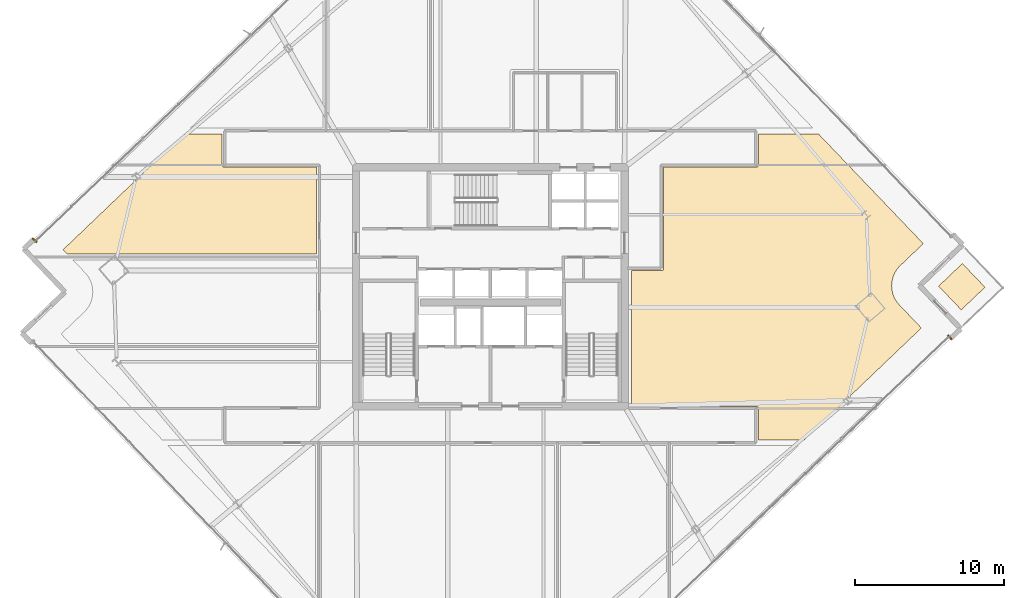
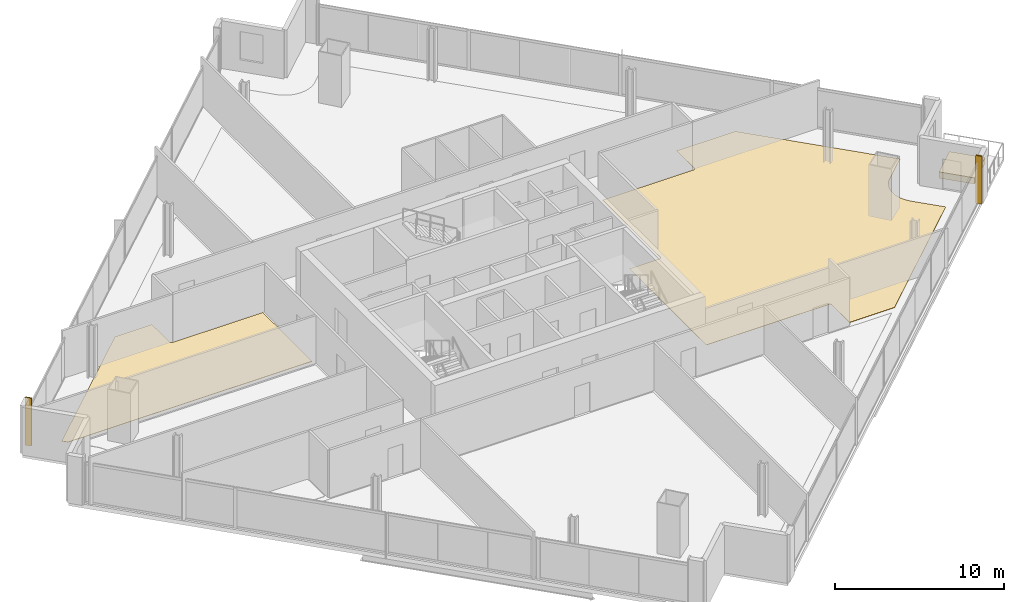
# One storey, part 31 of 33: 5 coverings.
"""IFC4 building model written with IfcOpenShell, lengths in metres."""

from ifc_helpers import new_model, si_unit, direction, frame, origin, origin_2d, place, context, subcontext, project, spatial, polyline, rectangle, outline, extrude, source, transform, mapped, material, layer, layer_set, type_object, element, save


model = new_model("IFC4")

# Units and contexts
model_context = context("Model", 3, precision=1e-05, world=origin(), true_north=direction((0.0, 1.0)))
body_context = subcontext(model_context, "Body", "Model", "MODEL_VIEW")
ifc_project = project(units=[si_unit("LENGTHUNIT", "METRE"), si_unit("AREAUNIT", "SQUARE_METRE"), si_unit("VOLUMEUNIT", "CUBIC_METRE"), si_unit("PLANEANGLEUNIT", "RADIAN"), si_unit("MASSUNIT", "GRAM", prefix="KILO")], contexts=[model_context])

# Site, building, storey
site_placement = place(None, origin())
site = spatial("IfcSite", under=ifc_project, at=site_placement, CompositionType="ELEMENT")
building_placement = place(site_placement, origin())
building = spatial("IfcBuilding", under=site, at=building_placement, Name="Haldenkirk Collegiate Tower", CompositionType="ELEMENT")
storey_placement = place(building_placement, frame((0.0, 0.0, 174.449951171875)))
storey = spatial("IfcBuildingStorey", under=building, at=storey_placement, Name="L43", CompositionType="ELEMENT", Elevation=174.449951171875)

# Coverings
ifc_material_1 = material(Name="Polished collegiate terrazzo", Category="concrete")
ifc_layer_1 = layer(ifc_material_1, 0.02490234375)
ifc_layer_set_1 = layer_set([ifc_layer_1], Name="Polished collegiate terrazzo")
covering_type_1 = type_object("IfcCoveringType", Name="COV-FLOOR-TERRAZZO", PredefinedType="FLOORING", material=ifc_layer_set_1)
covering_1_placement = place(storey_placement, origin())
element("IfcCovering", 1, at=covering_1_placement, inside=storey, type_object=covering_type_1, Name="L43 academic room finish 10", PredefinedType="FLOORING", context=body_context, shape_type="SweptSolid", body=[
    extrude(outline(polyline([(7.368896484375, 28.48876953125), (15.490478515625, 36.25), (18.030029296875, 36.25), (18.030029296875, 34.14990234375), (18.030517578125, 34.13818359375), (18.0322265625, 34.126708984375), (18.03515625, 34.115234375), (18.0390625, 34.10400390625), (18.044189453125, 34.093505859375), (18.05029296875, 34.083251953125), (18.05712890625, 34.073974609375), (18.065185546875, 34.065185546875), (18.073974609375, 34.05712890625), (18.083251953125, 34.05029296875), (18.093505859375, 34.044189453125), (18.10400390625, 34.0390625), (18.115234375, 34.03515625), (18.126708984375, 34.0322265625), (18.13818359375, 34.030517578125), (18.14990234375, 34.030029296875), (24.35009765625, 34.030029296875), (24.35009765625, 28.199951171875), (7.644775390625, 28.199951171875), (7.368896484375, 28.48876953125)])), origin(), (0.0, 0.0, 1.0), 0.025146484375),
])
ifc_material_2 = material(Name="Engineered collegiate oak acoustic flooring", Category="wood")
ifc_layer_2 = layer(ifc_material_2, 0.02197265625)
ifc_layer_set_2 = layer_set([ifc_layer_2], Name="Engineered collegiate oak acoustic flooring")
covering_type_2 = type_object("IfcCoveringType", Name="COV-FLOOR-TIMBER", PredefinedType="FLOORING", material=ifc_layer_set_2)
covering_2_placement = place(storey_placement, origin())
element("IfcCovering", 2, at=covering_2_placement, inside=storey, type_object=covering_type_2, Name="L43 academic room finish 11", PredefinedType="FLOORING", context=body_context, shape_type="SweptSolid", body=[
    extrude(outline(polyline([(63.478759765625, 27.424072265625), (63.474609375, 27.419921875), (63.356201171875, 27.29541015625), (63.3486328125, 27.286376953125), (63.243408203125, 27.150634765625), (63.236572265625, 27.14111328125), (63.14501953125, 26.995849609375), (63.13916015625, 26.985595703125), (63.06201171875, 26.83203125), (63.057373046875, 26.8212890625), (62.995849609375, 26.660888671875), (62.9921875, 26.64990234375), (62.94677734375, 26.484130859375), (62.944091796875, 26.47265625), (62.9150390625, 26.303466796875), (62.913818359375, 26.291748046875), (62.9013671875, 26.120361328125), (62.901123046875, 26.108642578125), (62.905517578125, 25.93701171875), (62.906494140625, 25.92529296875), (62.927734375, 25.7548828125), (62.929931640625, 25.7431640625), (62.968017578125, 25.57568359375), (62.970947265625, 25.564453125), (63.025146484375, 25.401611328125), (63.029296875, 25.390380859375), (63.099365234375, 25.233642578125), (63.1044921875, 25.22314453125), (63.189453125, 25.07373046875), (63.19580078125, 25.063720703125), (63.294921875, 24.923583984375), (63.30224609375, 24.914306640625), (63.414794921875, 24.784423828125), (63.418701171875, 24.7802734375), (64.89013671875, 23.240234375), (57.05224609375, 15.75), (53.969970703125, 15.75), (53.969970703125, 17.85009765625), (53.969482421875, 17.86181640625), (53.9677734375, 17.873291015625), (53.96484375, 17.884765625), (53.9609375, 17.89599609375), (53.955810546875, 17.906494140625), (53.94970703125, 17.916748046875), (53.94287109375, 17.926025390625), (53.934814453125, 17.934814453125), (53.926025390625, 17.94287109375), (53.916748046875, 17.94970703125), (53.906494140625, 17.955810546875), (53.89599609375, 17.9609375), (53.884765625, 17.96484375), (53.873291015625, 17.9677734375), (53.86181640625, 17.969482421875), (53.85009765625, 17.969970703125), (45.449951171875, 17.969970703125), (45.449951171875, 27.080078125), (47.5, 27.080078125), (47.51171875, 27.08056640625), (47.5234375, 27.082275390625), (47.534912109375, 27.085205078125), (47.5458984375, 27.089111328125), (47.556640625, 27.09423828125), (47.566650390625, 27.10009765625), (47.576171875, 27.107177734375), (47.5849609375, 27.114990234375), (47.5927734375, 27.123779296875), (47.599853515625, 27.13330078125), (47.605712890625, 27.143310546875), (47.61083984375, 27.154052734375), (47.61474609375, 27.165283203125), (47.61767578125, 27.176513671875), (47.619384765625, 27.188232421875), (47.6201171875, 27.199951171875), (47.6201171875, 34.030029296875), (53.85009765625, 34.030029296875), (53.86181640625, 34.030517578125), (53.873291015625, 34.0322265625), (53.884765625, 34.03515625), (53.89599609375, 34.0390625), (53.906494140625, 34.044189453125), (53.916748046875, 34.05029296875), (53.926025390625, 34.05712890625), (53.934814453125, 34.065185546875), (53.94287109375, 34.073974609375), (53.94970703125, 34.083251953125), (53.955810546875, 34.093505859375), (53.9609375, 34.10400390625), (53.96484375, 34.115234375), (53.9677734375, 34.126708984375), (53.969482421875, 34.13818359375), (53.969970703125, 34.14990234375), (53.969970703125, 36.25), (57.990478515625, 36.25), (65.0185546875, 28.8955078125), (63.478759765625, 27.424072265625)])), origin(), (0.0, 0.0, 1.0), 0.02197265625),
])
ifc_material_3 = material(Name="Precast concrete f'c 40 MPa", Category="concrete")
ifc_layer_3 = layer(ifc_material_3, 0.449951171875)
ifc_layer_set_3 = layer_set([ifc_layer_3], Name="Precast concrete f'c 40 MPa")
covering_type_3 = type_object("IfcCoveringType", Name="COV-PLANTER-450", PredefinedType="USERDEFINED", material=ifc_layer_set_3)
covering_3_placement = place(storey_placement, origin())
element("IfcCovering", 3, at=covering_3_placement, inside=storey, type_object=covering_type_3, Name="L43 planted garden planter bed", ObjectType="PLANTER", PredefinedType="USERDEFINED", context=body_context, shape_type="SweptSolid", body=[
    extrude(outline(polyline([(67.56298828125, 24.45263671875), (66.043212890625, 26.043212890625), (67.633544921875, 27.56298828125), (69.153564453125, 25.97265625), (67.56298828125, 24.45263671875)])), origin(), (0.0, 0.0, 1.0), 0.449951171875),
])
ifc_material_4 = material(Name="Anodised architectural bronze aluminium", Category="aluminium")
ifc_layer_4 = layer(ifc_material_4, 0.06005859375)
ifc_layer_set_4 = layer_set([ifc_layer_4], Name="Anodised architectural bronze aluminium")
covering_type_4 = type_object("IfcCoveringType", Name="COV-CLAD-BRONZE-60", PredefinedType="CLADDING", material=ifc_layer_set_4)
shared_shape = source(origin(), body_context, "Body", "SweptSolid", [
    extrude(rectangle(XDim=0.10009765625, YDim=0.3798828125, at=origin_2d()), origin(), (0.0, 0.0, 1.0), 3.4599609375),
])
for number, where, z_axis, x_axis, name in (
    (4, (66.799560546875, 22.602783203125, 0.0), (0.0, 0.0, 1.0), (-0.72296714591, -0.690882411077, 0.0), "L43 recessed curtain-wall bronze jamb closure SJL"),
    (5, (5.45947265625, 29.126220703125, 0.0), (0.0, 0.0, 1.0), (0.72296714591, 0.690882411077, 0.0), "L43 recessed curtain-wall bronze jamb closure NJL"),
):
    element("IfcCovering", number, at=place(storey_placement, frame(where, z_axis=z_axis, x_axis=x_axis)), inside=storey, type_object=covering_type_4, Name=name, PredefinedType="CLADDING", context=body_context, shape_type="MappedRepresentation", body=[
        mapped(shared_shape, transform((0.0, 0.0, 0.0), x_axis=(1.0, 0.0, 0.0), y_axis=(0.0, 1.0, 0.0), z_axis=(0.0, 0.0, 1.0), scale=1.0)),
    ])

save(model, "model.ifc")
